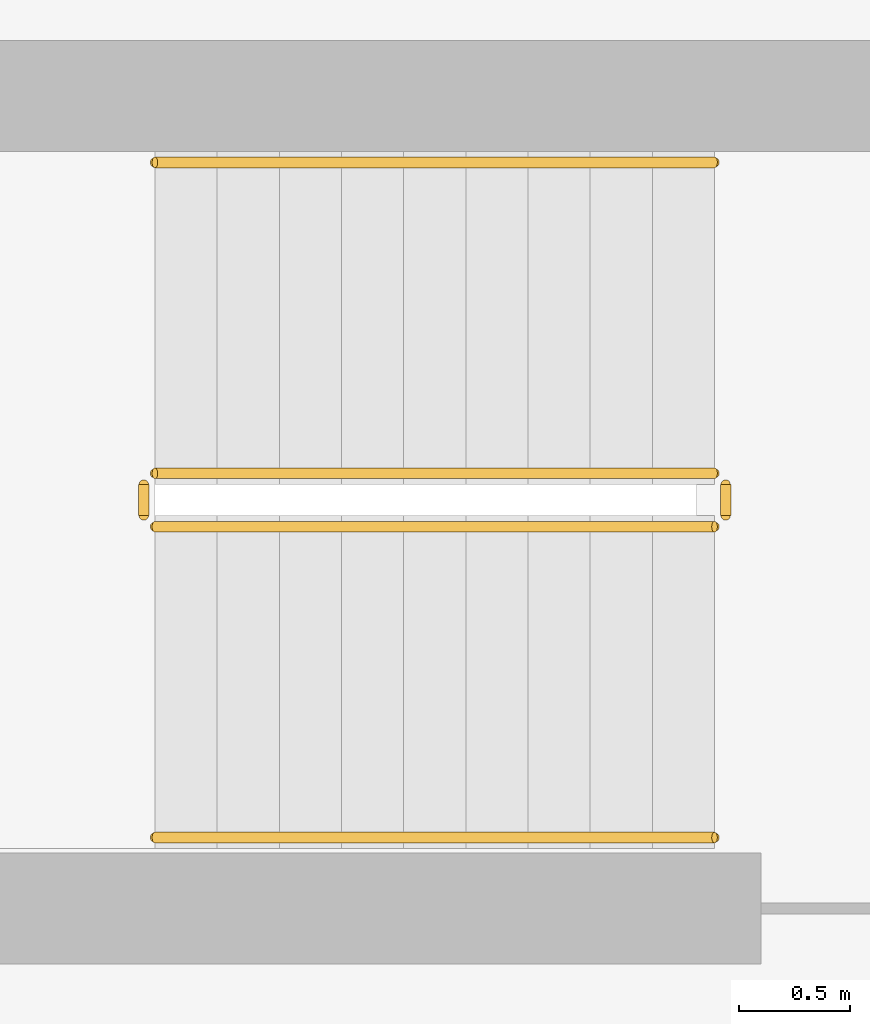
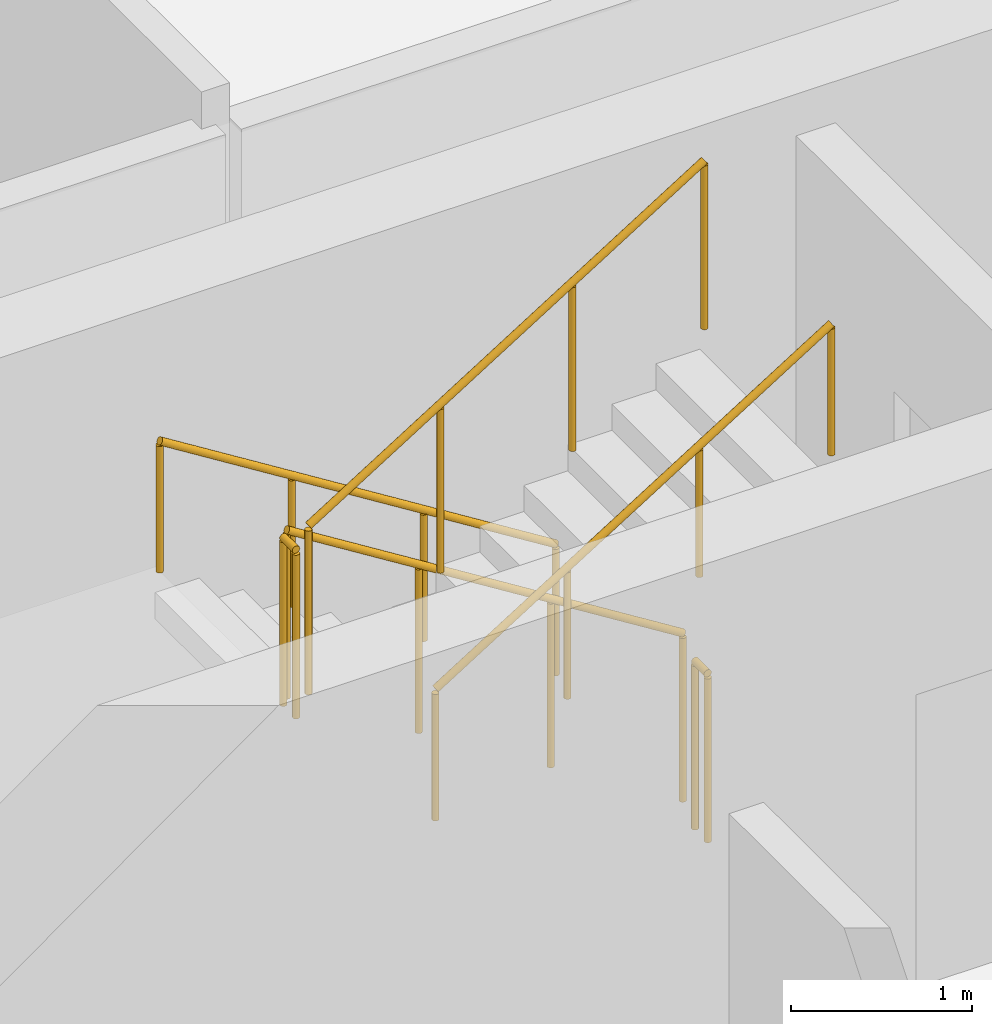
# One storey, part 21 of 24: 6 railings.
"""IFC4 building model written with IfcOpenShell, lengths in metres."""

from ifc_helpers import new_model, si_unit, derived_unit, direction, frame, origin, origin_2d, place, context, subcontext, project, spatial, circle, extrude, material, type_object, element, save


model = new_model("IFC4")

# Units and contexts
model_context = context("Model", 3, precision=1e-05, world=origin(), true_north=direction((0.0, 1.0)))
body_context = subcontext(model_context, "Body", "Model", "MODEL_VIEW")
ifc_project = project(units=[si_unit("LENGTHUNIT", "METRE"), si_unit("AREAUNIT", "SQUARE_METRE"), si_unit("VOLUMEUNIT", "CUBIC_METRE"), si_unit("PLANEANGLEUNIT", "RADIAN"), si_unit("MASSUNIT", "GRAM", prefix="KILO"), derived_unit("THERMALTRANSMITTANCEUNIT", [(si_unit("POWERUNIT", "WATT"), 1), (si_unit("LENGTHUNIT", "METRE"), -2), (si_unit("THERMODYNAMICTEMPERATUREUNIT", "KELVIN"), -1)])], contexts=[model_context])

# Site, building, storey
site_placement = place(None, origin())
site = spatial("IfcSite", under=ifc_project, at=site_placement, CompositionType="ELEMENT")
building_placement = place(site_placement, origin())
building = spatial("IfcBuilding", under=site, at=building_placement, Name="Kivonza Crest Hotel", CompositionType="ELEMENT")
storey_placement = place(building_placement, frame((0.0, 0.0, 80.0)))
storey = spatial("IfcBuildingStorey", under=building, at=storey_placement, Name="L21", CompositionType="ELEMENT", Elevation=80.0)

# Railings
ifc_material_1 = material(Name="Brushed stainless steel handrail", Category="steel")
railing_type_1 = type_object("IfcRailingType", Name="RL-HAND-900", PredefinedType="HANDRAIL", material=ifc_material_1)
railing_1_placement = place(storey_placement, frame((12.239990234375, 36.110107421875, 0.175048828125)))
element("IfcRailing", 1, at=railing_1_placement, inside=storey, type_object=railing_type_1, Name="L21 ST-T1-N stair handrail 1", PredefinedType="HANDRAIL", context=body_context, shape_type="SweptSolid", body=[
    extrude(circle(Radius=0.02392578125, at=origin_2d()), frame((0.0, 0.0, 0.8759765625), z_axis=(-0.848007534815, 0.0, 0.529984170421), x_axis=(0.0, -1.0, 0.0)), (0.0, 0.0, 1.0), 2.9716796875),
    extrude(circle(Radius=0.02099609375, at=origin_2d()), origin(), (0.0, 0.0, 1.0), 0.851806640625),
    extrude(circle(Radius=0.02099609375, at=origin_2d()), frame((-0.840087890625, 0.0, 0.52490234375)), (0.0, 0.0, 1.0), 0.851806640625),
    extrude(circle(Radius=0.02099609375, at=origin_2d()), frame((-1.679931640625, 0.0, 1.050048828125)), (0.0, 0.0, 1.0), 0.851806640625),
    extrude(circle(Radius=0.02099609375, at=origin_2d()), frame((-2.52001953125, 0.0, 1.574951171875)), (0.0, 0.0, 1.0), 0.851806640625),
])
railing_2_placement = place(storey_placement, frame((9.719970703125, 33.070068359375, 1.925048828125)))
element("IfcRailing", 2, at=railing_2_placement, inside=storey, type_object=railing_type_1, Name="L21 ST-T1-N stair handrail 2", PredefinedType="HANDRAIL", context=body_context, shape_type="SweptSolid", body=[
    extrude(circle(Radius=0.02392578125, at=origin_2d()), frame((0.0, 0.0, 0.8759765625), z_axis=(0.848007534815, 0.0, 0.529984170421), x_axis=(0.0, 1.0, 0.0)), (0.0, 0.0, 1.0), 2.9716796875),
    extrude(circle(Radius=0.02099609375, at=origin_2d()), origin(), (0.0, 0.0, 1.0), 0.851806640625),
    extrude(circle(Radius=0.02099609375, at=origin_2d()), frame((0.840087890625, 0.0, 0.52490234375)), (0.0, 0.0, 1.0), 0.851806640625),
    extrude(circle(Radius=0.02099609375, at=origin_2d()), frame((1.679931640625, 0.0, 1.050048828125)), (0.0, 0.0, 1.0), 0.851806640625),
    extrude(circle(Radius=0.02099609375, at=origin_2d()), frame((2.52001953125, 0.0, 1.574951171875)), (0.0, 0.0, 1.0), 0.851806640625),
])
ifc_material_2 = material(Name="Painted steel balustrade", Category="steel")
railing_type_2 = type_object("IfcRailingType", Name="RL-STAIR-1150", PredefinedType="BALUSTRADE", material=ifc_material_2)
railing_3_placement = place(storey_placement, frame((12.239990234375, 34.7099609375, 0.175048828125)))
element("IfcRailing", 3, at=railing_3_placement, inside=storey, type_object=railing_type_2, Name="L21 ST-T1-N stair guard 1", PredefinedType="BALUSTRADE", context=body_context, shape_type="SweptSolid", body=[
    extrude(circle(Radius=0.02392578125, at=origin_2d()), frame((0.0, 0.0, 1.1259765625), z_axis=(-0.848007534815, 0.0, 0.529984170421), x_axis=(0.0, -1.0, 0.0)), (0.0, 0.0, 1.0), 2.9716796875),
    extrude(circle(Radius=0.02099609375, at=origin_2d()), origin(), (0.0, 0.0, 1.0), 1.101806640625),
    extrude(circle(Radius=0.02099609375, at=origin_2d()), frame((-0.840087890625, 0.0, 0.52490234375)), (0.0, 0.0, 1.0), 1.101806640625),
    extrude(circle(Radius=0.02099609375, at=origin_2d()), frame((-1.679931640625, 0.0, 1.050048828125)), (0.0, 0.0, 1.0), 1.101806640625),
    extrude(circle(Radius=0.02099609375, at=origin_2d()), frame((-2.52001953125, 0.0, 1.574951171875)), (0.0, 0.0, 1.0), 1.101806640625),
])
railing_4_placement = place(storey_placement, frame((9.669921875, 34.659912109375, 1.75)))
element("IfcRailing", 4, at=railing_4_placement, inside=storey, type_object=railing_type_2, Name="L21 ST-T1-N stair guard 2", PredefinedType="BALUSTRADE", context=body_context, shape_type="SweptSolid", body=[
    extrude(circle(Radius=0.02392578125, at=origin_2d()), frame((0.0, 0.0, 1.1259765625), z_axis=(0.0, -1.0, 0.0), x_axis=(1.0, 0.0, 0.0)), (0.0, 0.0, 1.0), 0.139892578125),
    extrude(circle(Radius=0.02099609375, at=origin_2d()), origin(), (0.0, 0.0, 1.0), 1.101806640625),
    extrude(circle(Radius=0.02099609375, at=origin_2d()), frame((0.0, -0.139892578125, 0.0)), (0.0, 0.0, 1.0), 1.101806640625),
])
railing_5_placement = place(storey_placement, frame((9.719970703125, 34.469970703125, 1.925048828125)))
element("IfcRailing", 5, at=railing_5_placement, inside=storey, type_object=railing_type_2, Name="L21 ST-T1-N stair guard 3", PredefinedType="BALUSTRADE", context=body_context, shape_type="SweptSolid", body=[
    extrude(circle(Radius=0.02392578125, at=origin_2d()), frame((0.0, 0.0, 1.1259765625), z_axis=(0.848007534815, 0.0, 0.529984170421), x_axis=(0.0, 1.0, 0.0)), (0.0, 0.0, 1.0), 2.9716796875),
    extrude(circle(Radius=0.02099609375, at=origin_2d()), origin(), (0.0, 0.0, 1.0), 1.101806640625),
    extrude(circle(Radius=0.02099609375, at=origin_2d()), frame((0.840087890625, 0.0, 0.52490234375)), (0.0, 0.0, 1.0), 1.101806640625),
    extrude(circle(Radius=0.02099609375, at=origin_2d()), frame((1.679931640625, 0.0, 1.050048828125)), (0.0, 0.0, 1.0), 1.101806640625),
    extrude(circle(Radius=0.02099609375, at=origin_2d()), frame((2.52001953125, 0.0, 1.574951171875)), (0.0, 0.0, 1.0), 1.101806640625),
])
railing_6_placement = place(storey_placement, frame((12.2900390625, 34.659912109375, 0.0)))
element("IfcRailing", 6, at=railing_6_placement, inside=storey, type_object=railing_type_2, Name="L21 ST-T1-N stair guard 4", PredefinedType="BALUSTRADE", context=body_context, shape_type="SweptSolid", body=[
    extrude(circle(Radius=0.02392578125, at=origin_2d()), frame((0.0, 0.0, 1.1259765625), z_axis=(0.0, -1.0, 0.0), x_axis=(1.0, 0.0, 0.0)), (0.0, 0.0, 1.0), 0.139892578125),
    extrude(circle(Radius=0.02099609375, at=origin_2d()), origin(), (0.0, 0.0, 1.0), 1.101806640625),
    extrude(circle(Radius=0.02099609375, at=origin_2d()), frame((0.0, -0.139892578125, 0.0)), (0.0, 0.0, 1.0), 1.101806640625),
])

save(model, "model.ifc")
